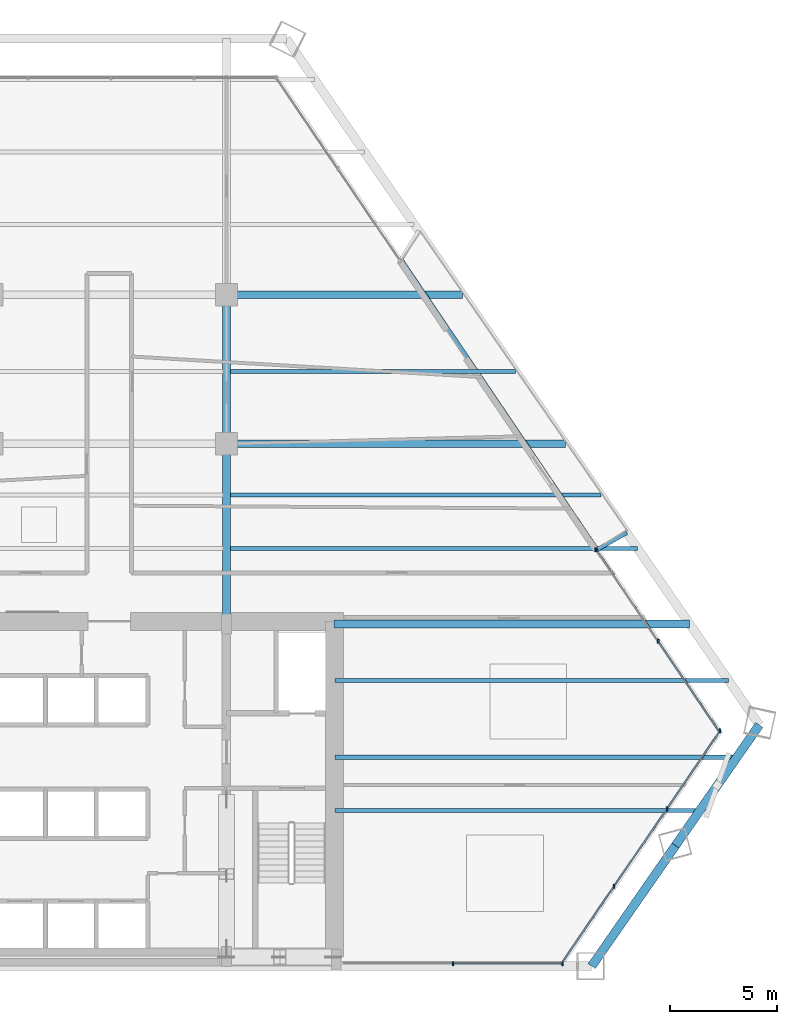
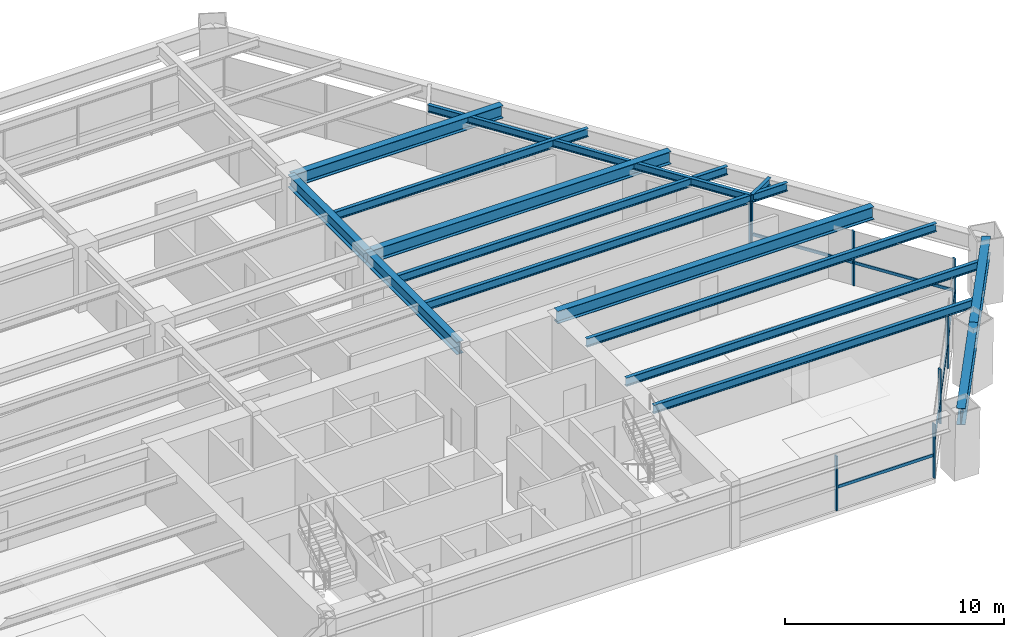
# One storey, part 6 of 14: 15 beams, 14 members, 3 elements without a shape of their own.
"""IFC4 building model written with IfcOpenShell, lengths in metres."""

from ifc_helpers import new_model, si_unit, direction, frame, origin, origin_2d, place, context, subcontext, project, spatial, rectangle, i_section, extrude, source, transform, mapped, material, material_profile, profile_set, type_object, type_shapes, element, aggregate, save


model = new_model("IFC4")

# Units and contexts
model_context = context("Model", 3, precision=1e-05, world=origin(), true_north=direction((0.0, 1.0)))
body_context = subcontext(model_context, "Body", "Model", "MODEL_VIEW")
ifc_project = project(units=[si_unit("LENGTHUNIT", "METRE"), si_unit("AREAUNIT", "SQUARE_METRE"), si_unit("VOLUMEUNIT", "CUBIC_METRE"), si_unit("PLANEANGLEUNIT", "RADIAN"), si_unit("MASSUNIT", "GRAM", prefix="KILO")], contexts=[model_context])

# Site, building, storey
site_placement = place(None, origin())
site = spatial("IfcSite", under=ifc_project, at=site_placement, CompositionType="ELEMENT")
building_placement = place(site_placement, origin())
building = spatial("IfcBuilding", under=site, at=building_placement, Name="Varnakhor Terracotta Tower", CompositionType="ELEMENT")
storey_placement = place(building_placement, frame((0.0, 0.0, 34.89990234375)))
storey = spatial("IfcBuildingStorey", under=building, at=storey_placement, Name="L07", CompositionType="ELEMENT", Elevation=34.89990234375)

# Beams
ifc_material_1 = material(Name="Steel S355", Category="steel")
ifc_material_profile_1 = material_profile(ifc_material_1, i_section(OverallWidth=0.35498046875, OverallDepth=0.695068359375, WebThickness=0.014892578125, FlangeThickness=0.02490234375, FilletRadius=0.01806640625, at=origin_2d()), Name="W27X146")
ifc_profile_set_1 = profile_set([ifc_material_profile_1], Name="Steel S355")
beam_type_1 = type_object("IfcBeamType", Name="BM-W27X146", PredefinedType="BEAM", material=ifc_profile_set_1)
shared_shape_1 = source(origin(), body_context, "Body", "SweptSolid", [
    extrude(i_section(OverallWidth=0.35498046875, OverallDepth=0.695068359375, WebThickness=0.014892578125, FlangeThickness=0.02490234375, FilletRadius=0.01806640625, at=origin_2d()), origin(), (0.0, 0.0, 1.0), 8.449951171875),
])
type_shapes(beam_type_1, [shared_shape_1])
beam_1_placement = place(storey_placement, frame((5.5, 16.050048828125, 3.1025390625), z_axis=(0.0, 1.0, 0.0), x_axis=(-1.0, 0.0, 0.0)))
element("IfcBeam", 1, at=beam_1_placement, inside=storey, type_object=beam_type_1, Name="L07 Primary Girder NS1-E", PredefinedType="BEAM", context=body_context, shape_type="MappedRepresentation", body=[
    mapped(shared_shape_1, transform((0.0, 0.0, 0.0), scale=1.0)),
])
shared_shape_2 = source(origin(), body_context, "Body", "SweptSolid", [
    extrude(i_section(OverallWidth=0.35498046875, OverallDepth=0.695068359375, WebThickness=0.014892578125, FlangeThickness=0.02490234375, FilletRadius=0.01806640625, at=origin_2d()), origin(), (0.0, 0.0, 1.0), 7.0),
])
beam_2_placement = place(storey_placement, frame((5.5, 24.5, 3.1025390625), z_axis=(0.0, 1.0, 0.0), x_axis=(-1.0, 0.0, 0.0)))
element("IfcBeam", 2, at=beam_2_placement, inside=storey, type_object=beam_type_1, Name="L07 Primary Girder NS2-E", PredefinedType="BEAM", context=body_context, shape_type="MappedRepresentation", body=[
    mapped(shared_shape_2, transform((0.0, 0.0, 0.0), scale=1.0)),
])
ifc_material_profile_2 = material_profile(ifc_material_1, i_section(OverallWidth=0.41796875, OverallDepth=0.927001953125, WebThickness=0.01904296875, FlangeThickness=0.031982421875, FilletRadius=0.01806640625, at=origin_2d()), Name="W36X231")
ifc_profile_set_2 = profile_set([ifc_material_profile_2], Name="Steel S355")
beam_type_2 = type_object("IfcBeamType", Name="BM-W36X231", PredefinedType="BEAM", material=ifc_profile_set_2)
shared_shape_3 = source(origin(), body_context, "Body", "SweptSolid", [
    extrude(i_section(OverallWidth=0.41796875, OverallDepth=0.927001953125, WebThickness=0.01904296875, FlangeThickness=0.031982421875, FilletRadius=0.01806640625, at=origin_2d()), origin(), (0.0, 0.0, 1.0), 6.887939453125),
])
beam_3_placement = place(storey_placement, frame((22.6318359375, 0.0, 2.986572265625), z_axis=(0.570725889079, 0.821140645404, 0.0), x_axis=(-0.821140645404, 0.570725889079, 0.0)))
element("IfcBeam", 3, at=beam_3_placement, inside=storey, type_object=beam_type_2, Name="L07 Perimeter Spandrel 2", PredefinedType="BEAM", context=body_context, shape_type="MappedRepresentation", body=[
    mapped(shared_shape_3, transform((0.0, 0.0, 0.0), scale=1.0)),
])
shared_shape_4 = source(origin(), body_context, "Body", "SweptSolid", [
    extrude(i_section(OverallWidth=0.41796875, OverallDepth=0.927001953125, WebThickness=0.01904296875, FlangeThickness=0.031982421875, FilletRadius=0.01806640625, at=origin_2d()), origin(), (0.0, 0.0, 1.0), 6.88818359375),
])
beam_4_placement = place(storey_placement, frame((26.56298828125, 5.656005859375, 2.986572265625), z_axis=(0.570749787526, 0.821124034503, 0.0), x_axis=(-0.821124034503, 0.570749787526, 0.0)))
element("IfcBeam", 4, at=beam_4_placement, inside=storey, type_object=beam_type_2, Name="L07 Perimeter Spandrel 3", PredefinedType="BEAM", context=body_context, shape_type="MappedRepresentation", body=[
    mapped(shared_shape_4, transform((0.0, 0.0, 0.0), scale=1.0)),
])
ifc_material_profile_3 = material_profile(ifc_material_1, i_section(OverallWidth=0.179931640625, OverallDepth=0.39990234375, WebThickness=0.008544921875, FlangeThickness=0.013427734375, FilletRadius=0.01806640625, at=origin_2d()), Name="IPE400")
ifc_profile_set_3 = profile_set([ifc_material_profile_3], Name="Steel S355")
beam_type_3 = type_object("IfcBeamType", Name="JST-IPE400", PredefinedType="JOIST", material=ifc_profile_set_3)
shared_shape_5 = source(origin(), body_context, "Body", "SweptSolid", [
    extrude(i_section(OverallWidth=0.179931640625, OverallDepth=0.39990234375, WebThickness=0.008544921875, FlangeThickness=0.013427734375, FilletRadius=0.01806640625, at=origin_2d()), origin(), (0.0, 0.0, 1.0), 16.434326171875),
])
beam_5_placement = place(storey_placement, frame((22.889404296875, 19.538330078125, 3.25), z_axis=(-0.559818267574, 0.828615415793, 0.0), x_axis=(-0.828615415793, -0.559818267574, 0.0)))
element("IfcBeam", 5, at=beam_5_placement, inside=storey, type_object=beam_type_3, Name="L07 Loggia Edge Beam 1", PredefinedType="JOIST", context=body_context, shape_type="MappedRepresentation", body=[
    mapped(shared_shape_5, transform((0.0, 0.0, 0.0), scale=1.0)),
])
shared_shape_6 = source(origin(), body_context, "Body", "SweptSolid", [
    extrude(i_section(OverallWidth=0.35498046875, OverallDepth=0.695068359375, WebThickness=0.014892578125, FlangeThickness=0.02490234375, FilletRadius=0.01806640625, at=origin_2d()), origin(), (0.0, 0.0, 1.0), 16.679443359375),
])
beam_6_placement = place(storey_placement, frame((10.550048828125, 16.050048828125, 3.1025390625), z_axis=(1.0, 0.0, 0.0), x_axis=(0.0, 1.0, 0.0)))
element("IfcBeam", 6, at=beam_6_placement, inside=storey, type_object=beam_type_1, Name="L07 Wing Girder E", PredefinedType="BEAM", context=body_context, shape_type="MappedRepresentation", body=[
    mapped(shared_shape_6, transform((0.0, 0.0, 0.0), scale=1.0)),
])
shared_shape_7 = source(origin(), body_context, "Body", "SweptSolid", [
    extrude(i_section(OverallWidth=0.35498046875, OverallDepth=0.695068359375, WebThickness=0.014892578125, FlangeThickness=0.02490234375, FilletRadius=0.01806640625, at=origin_2d()), origin(), (0.0, 0.0, 1.0), 15.906494140625),
])
beam_7_placement = place(storey_placement, frame((5.5, 24.5, 3.1025390625), z_axis=(1.0, 0.0, 0.0), x_axis=(0.0, 1.0, 0.0)))
element("IfcBeam", 7, at=beam_7_placement, inside=storey, type_object=beam_type_1, Name="L07 Primary Girder EW2-3", PredefinedType="BEAM", context=body_context, shape_type="MappedRepresentation", body=[
    mapped(shared_shape_7, transform((0.0, 0.0, 0.0), scale=1.0)),
])
shared_shape_8 = source(origin(), body_context, "Body", "SweptSolid", [
    extrude(i_section(OverallWidth=0.35498046875, OverallDepth=0.695068359375, WebThickness=0.014892578125, FlangeThickness=0.02490234375, FilletRadius=0.01806640625, at=origin_2d()), origin(), (0.0, 0.0, 1.0), 11.08251953125),
])
beam_8_placement = place(storey_placement, frame((5.5, 31.5, 3.1025390625), z_axis=(1.0, 0.0, 0.0), x_axis=(0.0, 1.0, 0.0)))
element("IfcBeam", 8, at=beam_8_placement, inside=storey, type_object=beam_type_1, Name="L07 Primary Girder EW3-3", PredefinedType="BEAM", context=body_context, shape_type="MappedRepresentation", body=[
    mapped(shared_shape_8, transform((0.0, 0.0, 0.0), scale=1.0)),
])
ifc_material_profile_4 = material_profile(ifc_material_1, i_section(OverallWidth=0.19189453125, OverallDepth=0.462890625, WebThickness=0.010498046875, FlangeThickness=0.017578125, FilletRadius=0.01806640625, at=origin_2d()), Name="W18X60")
ifc_profile_set_4 = profile_set([ifc_material_profile_4], Name="Steel S355")
beam_type_4 = type_object("IfcBeamType", Name="JST-W18X60", PredefinedType="JOIST", material=ifc_profile_set_4)
shared_shape_9 = source(origin(), body_context, "Body", "SweptSolid", [
    extrude(i_section(OverallWidth=0.19189453125, OverallDepth=0.462890625, WebThickness=0.010498046875, FlangeThickness=0.017578125, FilletRadius=0.01806640625, at=origin_2d()), origin(), (0.0, 0.0, 1.0), 17.105712890625),
])
beam_9_placement = place(storey_placement, frame((10.60009765625, 7.300048828125, 3.218505859375), z_axis=(1.0, 0.0, 0.0), x_axis=(0.0, 1.0, 0.0)))
element("IfcBeam", 9, at=beam_9_placement, inside=storey, type_object=beam_type_4, Name="L07 Floor Joist E1", PredefinedType="JOIST", context=body_context, shape_type="MappedRepresentation", body=[
    mapped(shared_shape_9, transform((0.0, 0.0, 0.0), scale=1.0)),
])
shared_shape_10 = source(origin(), body_context, "Body", "SweptSolid", [
    extrude(i_section(OverallWidth=0.19189453125, OverallDepth=0.462890625, WebThickness=0.010498046875, FlangeThickness=0.017578125, FilletRadius=0.01806640625, at=origin_2d()), origin(), (0.0, 0.0, 1.0), 18.84326171875),
])
beam_10_placement = place(storey_placement, frame((10.60009765625, 9.800048828125, 3.218505859375), z_axis=(1.0, 0.0, 0.0), x_axis=(0.0, 1.0, 0.0)))
element("IfcBeam", 10, at=beam_10_placement, inside=storey, type_object=beam_type_4, Name="L07 Floor Joist E2", PredefinedType="JOIST", context=body_context, shape_type="MappedRepresentation", body=[
    mapped(shared_shape_10, transform((0.0, 0.0, 0.0), scale=1.0)),
])
shared_shape_11 = source(origin(), body_context, "Body", "SweptSolid", [
    extrude(i_section(OverallWidth=0.19189453125, OverallDepth=0.462890625, WebThickness=0.010498046875, FlangeThickness=0.017578125, FilletRadius=0.01806640625, at=origin_2d()), origin(), (0.0, 0.0, 1.0), 18.455322265625),
])
beam_11_placement = place(storey_placement, frame((10.60009765625, 13.39990234375, 3.218505859375), z_axis=(1.0, 0.0, 0.0), x_axis=(0.0, 1.0, 0.0)))
element("IfcBeam", 11, at=beam_11_placement, inside=storey, type_object=beam_type_4, Name="L07 Floor Joist E3", PredefinedType="JOIST", context=body_context, shape_type="MappedRepresentation", body=[
    mapped(shared_shape_11, transform((0.0, 0.0, 0.0), scale=1.0)),
])
shared_shape_12 = source(origin(), body_context, "Body", "SweptSolid", [
    extrude(i_section(OverallWidth=0.19189453125, OverallDepth=0.462890625, WebThickness=0.010498046875, FlangeThickness=0.017578125, FilletRadius=0.01806640625, at=origin_2d()), origin(), (0.0, 0.0, 1.0), 19.109375),
])
beam_12_placement = place(storey_placement, frame((5.673583984375, 19.60009765625, 3.218505859375), z_axis=(1.0, 0.0, 0.0), x_axis=(0.0, 1.0, 0.0)))
element("IfcBeam", 12, at=beam_12_placement, inside=storey, type_object=beam_type_4, Name="L07 Composite Floor Joist 4-3", PredefinedType="JOIST", context=body_context, shape_type="MappedRepresentation", body=[
    mapped(shared_shape_12, transform((0.0, 0.0, 0.0), scale=1.0)),
])
shared_shape_13 = source(origin(), body_context, "Body", "SweptSolid", [
    extrude(i_section(OverallWidth=0.19189453125, OverallDepth=0.462890625, WebThickness=0.010498046875, FlangeThickness=0.017578125, FilletRadius=0.01806640625, at=origin_2d()), origin(), (0.0, 0.0, 1.0), 17.38671875),
])
beam_13_placement = place(storey_placement, frame((5.673583984375, 22.10009765625, 3.218505859375), z_axis=(1.0, 0.0, 0.0), x_axis=(0.0, 1.0, 0.0)))
element("IfcBeam", 13, at=beam_13_placement, inside=storey, type_object=beam_type_4, Name="L07 Composite Floor Joist 5-3", PredefinedType="JOIST", context=body_context, shape_type="MappedRepresentation", body=[
    mapped(shared_shape_13, transform((0.0, 0.0, 0.0), scale=1.0)),
])
shared_shape_14 = source(origin(), body_context, "Body", "SweptSolid", [
    extrude(i_section(OverallWidth=0.19189453125, OverallDepth=0.462890625, WebThickness=0.010498046875, FlangeThickness=0.017578125, FilletRadius=0.01806640625, at=origin_2d()), origin(), (0.0, 0.0, 1.0), 13.389892578125),
])
beam_14_placement = place(storey_placement, frame((5.673583984375, 27.89990234375, 3.218505859375), z_axis=(1.0, 0.0, 0.0), x_axis=(0.0, 1.0, 0.0)))
element("IfcBeam", 14, at=beam_14_placement, inside=storey, type_object=beam_type_4, Name="L07 Composite Floor Joist 6-3", PredefinedType="JOIST", context=body_context, shape_type="MappedRepresentation", body=[
    mapped(shared_shape_14, transform((0.0, 0.0, 0.0), scale=1.0)),
])

# Curtain wall, members
ifc_material_2 = material(Name="Anodised Aluminium Curtain Wall System", Category="aluminium")
curtain_wall_type = type_object("IfcCurtainWallType", Name="CW-SYS-LOW-OFFICE", PredefinedType="NOTDEFINED", material=ifc_material_2)
curtain_wall_1_placement = place(storey_placement, origin())
curtain_wall_1 = element("IfcCurtainWall", 15, at=curtain_wall_1_placement, inside=storey, type_object=curtain_wall_type, Name="L07 E Facet Curtain Wall 2", PredefinedType="NOTDEFINED")
ifc_material_3 = material(Name="Anodised Aluminium 6063-T6", Category="aluminium")
ifc_material_profile_5 = material_profile(ifc_material_3, rectangle(XDim=0.074951171875, YDim=0.18505859375, at=origin_2d()), Name="ALU MULLION 75x185")
ifc_profile_set_5 = profile_set([ifc_material_profile_5], Name="Anodised Aluminium 6063-T6")
member_type_1 = type_object("IfcMemberType", Name="CWM-02", PredefinedType="MULLION", material=ifc_profile_set_5)
shared_shape_15 = source(origin(), body_context, "Body", "SweptSolid", [
    extrude(rectangle(XDim=0.074951171875, YDim=0.18505859375, at=origin_2d()), origin(), (0.0, 0.0, 1.0), 3.030029296875),
])
type_shapes(member_type_1, [shared_shape_15])
member_1_placement = place(storey_placement, frame((22.847412109375, 19.5244140625, 0.0), z_axis=(0.0, 0.0, 1.0), x_axis=(1.0, 0.0, 0.0)))
member_1 = element("IfcMember", 16, at=member_1_placement, type_object=member_type_1, Name="L07 E Facet Curtain Wall 2 Mullion 1", PredefinedType="MULLION", context=body_context, shape_type="MappedRepresentation", body=[
    mapped(shared_shape_15, transform((0.0, 0.0, 0.0), scale=1.0)),
])
member_2_placement = place(storey_placement, frame((25.75341796875, 15.2373046875, 0.0), z_axis=(0.0, 0.0, 1.0), x_axis=(1.0, 0.0, 0.0)))
member_2 = element("IfcMember", 17, at=member_2_placement, type_object=member_type_1, Name="L07 E Facet Curtain Wall 2 Mullion 2", PredefinedType="MULLION", context=body_context, shape_type="MappedRepresentation", body=[
    mapped(shared_shape_15, transform((0.0, 0.0, 0.0), scale=1.0)),
])
member_3_placement = place(storey_placement, frame((22.814208984375, 19.5380859375, 0.0), z_axis=(0.0, 0.0, 1.0), x_axis=(1.0, 0.0, 0.0)))
member_3 = element("IfcMember", 18, at=member_3_placement, type_object=member_type_1, Name="L07 E Loggia Jamb Closure Mullion 2", PredefinedType="MULLION", context=body_context, shape_type="MappedRepresentation", body=[
    mapped(shared_shape_15, transform((0.0, 0.0, 0.0), scale=1.0)),
])

curtain_wall_2_placement = place(storey_placement, origin())
curtain_wall_2 = element("IfcCurtainWall", 19, at=curtain_wall_2_placement, inside=storey, type_object=curtain_wall_type, Name="L07 Facet Curtain Wall 4", PredefinedType="NOTDEFINED")
member_4_placement = place(storey_placement, frame((28.6591796875, 11.03564453125, 0.0), z_axis=(0.0, 0.0, 1.0), x_axis=(1.0, 0.0, 0.0)))
member_4 = element("IfcMember", 20, at=member_4_placement, type_object=member_type_1, Name="L07 Facet Curtain Wall 4 Mullion 1", PredefinedType="MULLION", context=body_context, shape_type="MappedRepresentation", body=[
    mapped(shared_shape_15, transform((0.0, 0.0, 0.0), scale=1.0)),
])
member_5_placement = place(storey_placement, frame((26.171630859375, 7.387939453125, 0.0), z_axis=(0.0, 0.0, 1.0), x_axis=(1.0, 0.0, 0.0)))
member_5 = element("IfcMember", 21, at=member_5_placement, type_object=member_type_1, Name="L07 Facet Curtain Wall 4 Mullion 2", PredefinedType="MULLION", context=body_context, shape_type="MappedRepresentation", body=[
    mapped(shared_shape_15, transform((0.0, 0.0, 0.0), scale=1.0)),
])
member_6_placement = place(storey_placement, frame((23.68408203125, 3.740234375, 0.0), z_axis=(0.0, 0.0, 1.0), x_axis=(1.0, 0.0, 0.0)))
member_6 = element("IfcMember", 22, at=member_6_placement, type_object=member_type_1, Name="L07 Facet Curtain Wall 4 Mullion 3", PredefinedType="MULLION", context=body_context, shape_type="MappedRepresentation", body=[
    mapped(shared_shape_15, transform((0.0, 0.0, 0.0), scale=1.0)),
])

curtain_wall_3_placement = place(storey_placement, origin())
curtain_wall_3 = element("IfcCurtainWall", 23, at=curtain_wall_3_placement, inside=storey, type_object=curtain_wall_type, Name="L07 South Wing Curtain Wall SSE", PredefinedType="NOTDEFINED")
member_7_placement = place(storey_placement, frame((21.268798828125, 0.1201171875, 0.0), z_axis=(0.0, 0.0, 1.0), x_axis=(1.0, 0.0, 0.0)))
member_7 = element("IfcMember", 24, at=member_7_placement, type_object=member_type_1, Name="L07 South Wing Curtain Wall SSE Mullion 1", PredefinedType="MULLION", context=body_context, shape_type="MappedRepresentation", body=[
    mapped(shared_shape_15, transform((0.0, 0.0, 0.0), scale=1.0)),
])
member_8_placement = place(storey_placement, frame((16.119384765625, 0.1201171875, 0.0), z_axis=(0.0, 0.0, 1.0), x_axis=(1.0, 0.0, 0.0)))
member_8 = element("IfcMember", 25, at=member_8_placement, type_object=member_type_1, Name="L07 South Wing Curtain Wall SSE Mullion 2", PredefinedType="MULLION", context=body_context, shape_type="MappedRepresentation", body=[
    mapped(shared_shape_15, transform((0.0, 0.0, 0.0), scale=1.0)),
])

# Member
ifc_material_profile_6 = material_profile(ifc_material_3, rectangle(XDim=0.074951171875, YDim=0.1650390625, at=origin_2d()), Name="ALU TRANSOM 75x165")
ifc_profile_set_6 = profile_set([ifc_material_profile_6], Name="Anodised Aluminium 6063-T6")
member_type_2 = type_object("IfcMemberType", Name="CWT-02", PredefinedType="USERDEFINED", material=ifc_profile_set_6)
shared_shape_16 = source(origin(), body_context, "Body", "SweptSolid", [
    extrude(rectangle(XDim=0.074951171875, YDim=0.1650390625, at=origin_2d()), origin(), (0.0, 0.0, 1.0), 5.178955078125),
])
member_9_placement = place(storey_placement, frame((25.75341796875, 15.2373046875, 1.272705078125), z_axis=(0.561080570001, -0.827761193804, 0.0), x_axis=(0.827761193804, 0.561080570001, 0.0)))
member_9 = element("IfcMember", 26, at=member_9_placement, type_object=member_type_2, Name="L07 E Facet Curtain Wall 2 Transom 2", ObjectType="TRANSOM", PredefinedType="USERDEFINED", context=body_context, shape_type="MappedRepresentation", body=[
    mapped(shared_shape_16, transform((0.0, 0.0, 0.0), scale=1.0)),
])

shared_shape_17 = source(origin(), body_context, "Body", "SweptSolid", [
    extrude(rectangle(XDim=0.074951171875, YDim=0.1650390625, at=origin_2d()), origin(), (0.0, 0.0, 1.0), 5.17919921875),
])
member_10_placement = place(storey_placement, frame((22.847412109375, 19.5244140625, 1.272705078125), z_axis=(0.561090975707, -0.827754140419, 0.0), x_axis=(0.827754140419, 0.561090975707, 0.0)))
member_10 = element("IfcMember", 27, at=member_10_placement, type_object=member_type_2, Name="L07 E Facet Curtain Wall 2 Transom 1", ObjectType="TRANSOM", PredefinedType="USERDEFINED", context=body_context, shape_type="MappedRepresentation", body=[
    mapped(shared_shape_17, transform((0.0, 0.0, 0.0), scale=1.0)),
])

aggregate(curtain_wall_1, [member_1, member_10, member_2, member_9, member_3])

shared_shape_18 = source(origin(), body_context, "Body", "SweptSolid", [
    extrude(rectangle(XDim=0.074951171875, YDim=0.1650390625, at=origin_2d()), origin(), (0.0, 0.0, 1.0), 4.415283203125),
])
member_11_placement = place(storey_placement, frame((28.6591796875, 11.03564453125, 1.272705078125), z_axis=(-0.563410602345, -0.826177035002, 0.0), x_axis=(0.826177035002, -0.563410602345, 0.0)))
member_11 = element("IfcMember", 28, at=member_11_placement, type_object=member_type_2, Name="L07 Facet Curtain Wall 4 Transom 1", ObjectType="TRANSOM", PredefinedType="USERDEFINED", context=body_context, shape_type="MappedRepresentation", body=[
    mapped(shared_shape_18, transform((0.0, 0.0, 0.0), scale=1.0)),
])

member_12_placement = place(storey_placement, frame((26.171630859375, 7.387939453125, 1.272705078125), z_axis=(-0.563410602345, -0.826177035002, 0.0), x_axis=(0.826177035002, -0.563410602345, 0.0)))
member_12 = element("IfcMember", 29, at=member_12_placement, type_object=member_type_2, Name="L07 Facet Curtain Wall 4 Transom 2", ObjectType="TRANSOM", PredefinedType="USERDEFINED", context=body_context, shape_type="MappedRepresentation", body=[
    mapped(shared_shape_18, transform((0.0, 0.0, 0.0), scale=1.0)),
])

member_13_placement = place(storey_placement, frame((23.68408203125, 3.740234375, 1.272705078125), z_axis=(-0.563384864252, -0.826194586481, 0.0), x_axis=(0.826194586481, -0.563384864252, 0.0)))
member_13 = element("IfcMember", 30, at=member_13_placement, type_object=member_type_2, Name="L07 Facet Curtain Wall 4 Transom 3", ObjectType="TRANSOM", PredefinedType="USERDEFINED", context=body_context, shape_type="MappedRepresentation", body=[
    mapped(shared_shape_18, transform((0.0, 0.0, 0.0), scale=1.0)),
])

aggregate(curtain_wall_2, [member_4, member_11, member_5, member_12, member_6, member_13])

shared_shape_19 = source(origin(), body_context, "Body", "SweptSolid", [
    extrude(rectangle(XDim=0.074951171875, YDim=0.1650390625, at=origin_2d()), origin(), (0.0, 0.0, 1.0), 5.1494140625),
])
member_14_placement = place(storey_placement, frame((21.268798828125, 0.1201171875, 1.272705078125), z_axis=(-1.0, 0.0, 0.0), x_axis=(0.0, -1.0, 0.0)))
member_14 = element("IfcMember", 31, at=member_14_placement, type_object=member_type_2, Name="L07 South Wing Curtain Wall SSE Transom 1", ObjectType="TRANSOM", PredefinedType="USERDEFINED", context=body_context, shape_type="MappedRepresentation", body=[
    mapped(shared_shape_19, transform((0.0, 0.0, 0.0), scale=1.0)),
])

aggregate(curtain_wall_3, [member_7, member_14, member_8])

# Beam
shared_shape_20 = source(origin(), body_context, "Body", "SweptSolid", [
    extrude(i_section(OverallWidth=0.179931640625, OverallDepth=0.39990234375, WebThickness=0.008544921875, FlangeThickness=0.013427734375, FilletRadius=0.01806640625, at=origin_2d()), origin(), (0.0, 0.0, 1.0), 1.600341796875),
])
beam_15_placement = place(storey_placement, frame((22.889404296875, 19.538330078125, 3.25), z_axis=(0.869629266022, 0.49370531664, 0.0), x_axis=(-0.49370531664, 0.869629266022, 0.0)))
element("IfcBeam", 32, at=beam_15_placement, inside=storey, type_object=beam_type_3, Name="L08 E Loggia Tie Beam 2", PredefinedType="JOIST", context=body_context, shape_type="MappedRepresentation", body=[
    mapped(shared_shape_20, transform((0.0, 0.0, 0.0), scale=1.0)),
])

save(model, "model.ifc")
